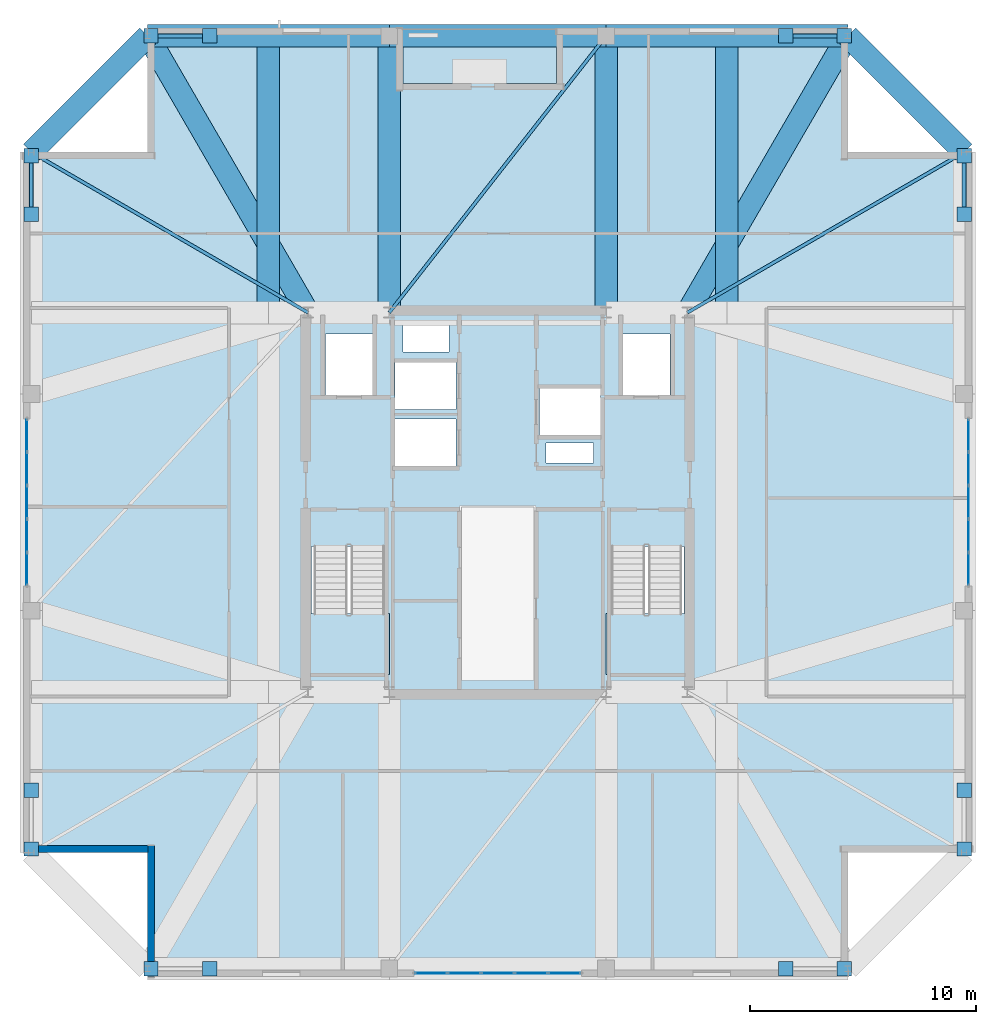
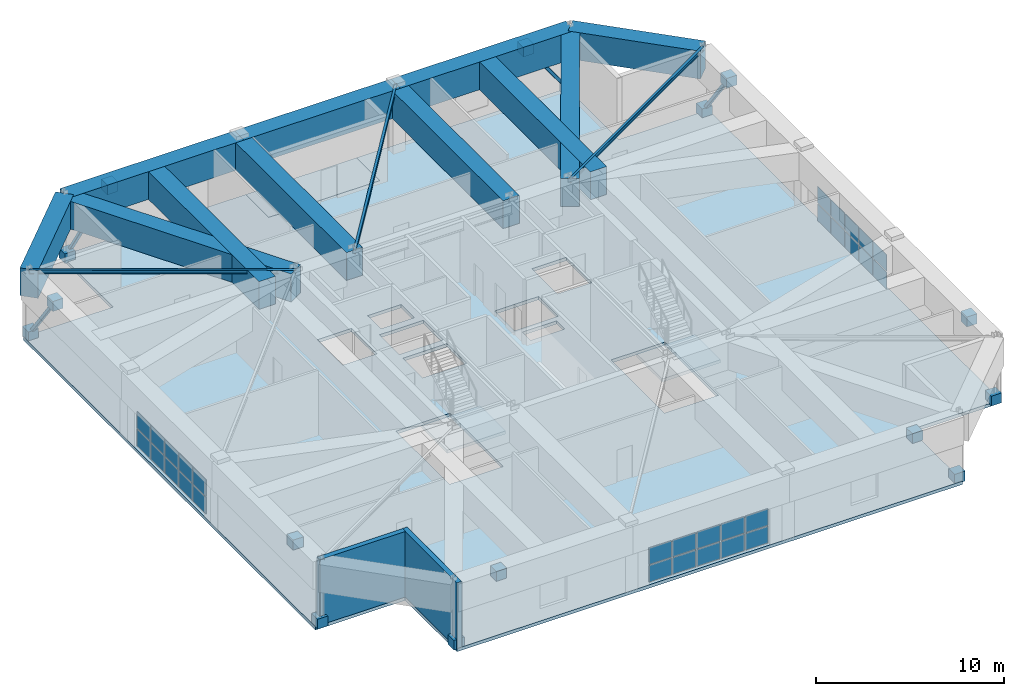
# One storey, part 11 of 17: 46 plates, 14 beams, 4 members, 4 slabs, 2 walls, 5 elements without a shape of their own.
"""IFC4 building model written with IfcOpenShell, lengths in metres."""

from ifc_helpers import new_model, si_unit, direction, frame, frame_2d, origin, origin_2d, place, context, subcontext, project, spatial, polyline, rectangle, hollow_rectangle, i_section, outline, extrude, material, layer, layer_set, material_profile, profile_set, type_object, element, aggregate, save


model = new_model("IFC4")

# Units and contexts
model_context = context("Model", 3, precision=1e-05, world=origin(), true_north=direction((0.0, 1.0)))
body_context = subcontext(model_context, "Body", "Model", "MODEL_VIEW")
ifc_project = project(units=[si_unit("LENGTHUNIT", "METRE"), si_unit("AREAUNIT", "SQUARE_METRE"), si_unit("VOLUMEUNIT", "CUBIC_METRE"), si_unit("PLANEANGLEUNIT", "RADIAN"), si_unit("MASSUNIT", "GRAM", prefix="KILO")], contexts=[model_context])

# Site, building, storey
site_placement = place(None, origin())
site = spatial("IfcSite", under=ifc_project, at=site_placement, CompositionType="ELEMENT")
building_placement = place(site_placement, origin())
building = spatial("IfcBuilding", under=site, at=building_placement, Name="Cairnveth Concourse Tower", CompositionType="ELEMENT")
storey_placement = place(building_placement, frame((0.0, 0.0, 320.0)))
storey = spatial("IfcBuildingStorey", under=building, at=storey_placement, Name="L88", CompositionType="ELEMENT", Elevation=320.0)

# Beams
ifc_material_1 = material(Name="Concrete N65 (65 MPa)", Category="concrete")
ifc_material_profile_1 = material_profile(ifc_material_1, rectangle(XDim=1.0, YDim=1.800048828125, at=origin_2d()), Name="RC-TB-1000x1800")
ifc_profile_set_1 = profile_set([ifc_material_profile_1], Name="Concrete N65 (65 MPa)")
beam_type_1 = type_object("IfcBeamType", Name="CONCRETE TRANSFER GIRDER 1000X1800", PredefinedType="BEAM", material=ifc_profile_set_1)
beam_1_placement = place(storey_placement, frame((36.5, 59.64990234375, 3.35009765625), z_axis=(1.0, 0.0, 0.0), x_axis=(0.0, 1.0, 0.0)))
element("IfcBeam", 1, at=beam_1_placement, inside=storey, type_object=beam_type_1, Name="Beam SP-N1 L88", PredefinedType="BEAM", context=body_context, shape_type="SweptSolid", body=[
    extrude(rectangle(XDim=1.0, YDim=1.800048828125, at=origin_2d()), origin(), (0.0, 0.0, 1.0), 10.699951171875),
])
beam_2_placement = place(storey_placement, frame((47.199951171875, 59.64990234375, 3.35009765625), z_axis=(1.0, 0.0, 0.0), x_axis=(0.0, 1.0, 0.0)))
element("IfcBeam", 2, at=beam_2_placement, inside=storey, type_object=beam_type_1, Name="Beam SP-N2 L88", PredefinedType="BEAM", context=body_context, shape_type="SweptSolid", body=[
    extrude(rectangle(XDim=1.0, YDim=1.800048828125, at=origin_2d()), origin(), (0.0, 0.0, 1.0), 9.60009765625),
])
beam_3_placement = place(storey_placement, frame((56.800048828125, 59.64990234375, 3.35009765625), z_axis=(1.0, 0.0, 0.0), x_axis=(0.0, 1.0, 0.0)))
element("IfcBeam", 3, at=beam_3_placement, inside=storey, type_object=beam_type_1, Name="Beam SP-N3 L88", PredefinedType="BEAM", context=body_context, shape_type="SweptSolid", body=[
    extrude(rectangle(XDim=1.0, YDim=1.800048828125, at=origin_2d()), origin(), (0.0, 0.0, 1.0), 10.699951171875),
])
for number, where, z_axis, x_axis, name in (
    (4, (67.5, 59.64990234375, 3.35009765625), (0.707106781187, -0.707106781187, 0.0), (0.707106781187, 0.707106781187, 0.0), "Beam SP-NE L88"),
    (5, (31.35009765625, 54.5, 3.35009765625), (0.707106781187, 0.707106781187, 0.0), (-0.707106781187, 0.707106781187, 0.0), "Beam SP-NW L88"),
):
    element("IfcBeam", number, at=place(storey_placement, frame(where, z_axis=z_axis, x_axis=x_axis)), inside=storey, type_object=beam_type_1, Name=name, PredefinedType="BEAM", context=body_context, shape_type="SweptSolid", body=[
        extrude(rectangle(XDim=1.0, YDim=1.800048828125, at=origin_2d()), origin(), (0.0, 0.0, 1.0), 7.282958984375),
    ])
for number, where, z_axis, x_axis, name in (
    (6, (47.199951171875, 47.39990234375, 3.35009765625), (0.0, 1.0, 0.0), (-1.0, 0.0, 0.0), "Beam RG-N1 L88"),
    (7, (56.800048828125, 47.39990234375, 3.35009765625), (0.0, 1.0, 0.0), (-1.0, 0.0, 0.0), "Beam RG-N2 L88"),
):
    element("IfcBeam", number, at=place(storey_placement, frame(where, z_axis=z_axis, x_axis=x_axis)), inside=storey, type_object=beam_type_1, Name=name, PredefinedType="BEAM", context=body_context, shape_type="SweptSolid", body=[
        extrude(rectangle(XDim=1.0, YDim=1.800048828125, at=origin_2d()), origin(), (0.0, 0.0, 1.0), 12.25),
    ])
for number, where, z_axis, x_axis, name in (
    (8, (67.5, 59.64990234375, 3.35009765625), (-0.501458984584, -0.86518141842, 0.0), (0.86518141842, -0.501458984584, 0.0), "Beam RG-CNE L88"),
    (9, (36.5, 59.64990234375, 3.35009765625), (0.501458984584, -0.86518141842, 0.0), (0.86518141842, 0.501458984584, 0.0), "Beam RG-CNW L88"),
):
    element("IfcBeam", number, at=place(storey_placement, frame(where, z_axis=z_axis, x_axis=x_axis)), inside=storey, type_object=beam_type_1, Name=name, PredefinedType="BEAM", context=body_context, shape_type="SweptSolid", body=[
        extrude(rectangle(XDim=1.0, YDim=1.800048828125, at=origin_2d()), origin(), (0.0, 0.0, 1.0), 14.158935546875),
    ])
for number, where, z_axis, x_axis, name in (
    (10, (41.85009765625, 47.39990234375, 3.35009765625), (0.0, 1.0, 0.0), (-1.0, 0.0, 0.0), "Beam CTG-W-NS3 L88"),
    (11, (62.14990234375, 47.39990234375, 3.35009765625), (0.0, 1.0, 0.0), (-1.0, 0.0, 0.0), "Beam CTG-E-NS3 L88"),
):
    element("IfcBeam", number, at=place(storey_placement, frame(where, z_axis=z_axis, x_axis=x_axis)), inside=storey, type_object=beam_type_1, Name=name, PredefinedType="BEAM", context=body_context, shape_type="SweptSolid", body=[
        extrude(rectangle(XDim=1.0, YDim=1.800048828125, at=origin_2d()), origin(), (0.0, 0.0, 1.0), 12.10009765625),
    ])
ifc_material_2 = material(Name="Steel Grade 350", Category="steel")
ifc_material_profile_2 = material_profile(ifc_material_2, i_section(OverallWidth=0.14599609375, OverallDepth=0.256103515625, WebThickness=0.00634765625, FlangeThickness=0.010986328125, FilletRadius=0.009033203125, at=origin_2d()), Name="250UB37.3")
ifc_profile_set_2 = profile_set([ifc_material_profile_2], Name="Steel Grade 350")
beam_type_2 = type_object("IfcBeamType", Name="ZONE 4 FLOOR JOIST 250UB37.3", PredefinedType="JOIST", material=ifc_profile_set_2)
for number, where, z_axis, x_axis, name in (
    (12, (72.64990234375, 54.5, 4.1220703125), (-0.86518141842, -0.501458984584, 0.0), (0.501458984584, -0.86518141842, 0.0), "Beam FJ-CNE2 L88"),
    (13, (31.35009765625, 54.5, 4.1220703125), (0.86518141842, -0.501458984584, 0.0), (0.501458984584, 0.86518141842, 0.0), "Beam FJ-CNW2 L88"),
):
    element("IfcBeam", number, at=place(storey_placement, frame(where, z_axis=z_axis, x_axis=x_axis)), inside=storey, type_object=beam_type_2, Name=name, PredefinedType="JOIST", context=body_context, shape_type="SweptSolid", body=[
        extrude(i_section(OverallWidth=0.14599609375, OverallDepth=0.256103515625, WebThickness=0.00634765625, FlangeThickness=0.010986328125, FilletRadius=0.009033203125, at=origin_2d()), origin(), (0.0, 0.0, 1.0), 14.158935546875),
    ])
beam_4_placement = place(storey_placement, frame((47.199951171875, 47.39990234375, 4.1220703125), z_axis=(0.616831762718, 0.787095023807, 0.0), x_axis=(-0.787095023807, 0.616831762718, 0.0)))
element("IfcBeam", 14, at=beam_4_placement, inside=storey, type_object=beam_type_2, Name="Beam FJ-N-M1 L88", PredefinedType="JOIST", context=body_context, shape_type="SweptSolid", body=[
    extrude(i_section(OverallWidth=0.14599609375, OverallDepth=0.256103515625, WebThickness=0.00634765625, FlangeThickness=0.010986328125, FilletRadius=0.009033203125, at=origin_2d()), origin(), (0.0, 0.0, 1.0), 15.5634765625),
])

# Members
ifc_material_3 = material(Name="Steel C350L0 (350 MPa)", Category="steel")
ifc_material_profile_3 = material_profile(ifc_material_3, hollow_rectangle(XDim=0.199951171875, YDim=0.199951171875, WallThickness=0.012451171875, InnerFilletRadius=0.012939453125, OuterFilletRadius=0.02490234375, at=origin_2d()), Name="200x200x12.5SHS")
ifc_profile_set_3 = profile_set([ifc_material_profile_3], Name="Steel C350L0 (350 MPa)")
member_type = type_object("IfcMemberType", Name="ZONE 4 PIER BRACE 200X200X12.5SHS", PredefinedType="BRACE", material=ifc_profile_set_3)
for number, where, z_axis, x_axis, name in (
    (15, (36.64990234375, 59.64990234375, 0.25), (0.590880096879, 0.0, 0.806759388611), (0.0, 1.0, 0.0), "Structural Brace PB-N1 L88"),
    (16, (67.35009765625, 59.64990234375, 0.25), (-0.590880096879, 0.0, 0.806759388611), (0.0, -1.0, 0.0), "Structural Brace PB-N2 L88"),
    (17, (31.35009765625, 54.35009765625, 0.25), (0.0, -0.590880096879, 0.806759388611), (1.0, 0.0, 0.0), "Structural Brace PB-W2 L88"),
    (18, (72.64990234375, 54.35009765625, 0.25), (0.0, -0.590880096879, 0.806759388611), (1.0, 0.0, 0.0), "Structural Brace PB-E2 L88"),
):
    element("IfcMember", number, at=place(storey_placement, frame(where, z_axis=z_axis, x_axis=x_axis)), inside=storey, type_object=member_type, Name=name, PredefinedType="BRACE", context=body_context, shape_type="SweptSolid", body=[
        extrude(hollow_rectangle(XDim=0.199951171875, YDim=0.199951171875, WallThickness=0.012451171875, InnerFilletRadius=0.012939453125, OuterFilletRadius=0.02490234375, at=origin_2d()), origin(), (0.0, 0.0, 1.0), 4.400390625),
    ])

# Curtain wall, plates
ifc_material_4 = material(Name="Architectural Bronze Anodised Aluminium 6063-T6", Category="aluminium")
ifc_layer_1 = layer(ifc_material_4, 0.300048828125)
ifc_layer_set_1 = layer_set([ifc_layer_1], Name="Architectural Bronze Anodised Aluminium 6063-T6")
curtain_wall_type = type_object("IfcCurtainWallType", Name="OBSERVATION HORIZON CURTAIN WALL", PredefinedType="USERDEFINED", material=ifc_layer_set_1)
curtain_wall_1_placement = place(storey_placement, origin())
curtain_wall_1 = element("IfcCurtainWall", 19, at=curtain_wall_1_placement, inside=storey, type_object=curtain_wall_type, Name="Curtain Wall CW-L88-F3", ObjectType="UNITISED FACADE", PredefinedType="USERDEFINED")
ifc_material_5 = material(Name="Double Glazed Low-E Clear Glass", Category="glass")
ifc_layer_2 = layer(ifc_material_5, 0.028076171875)
ifc_layer_set_2 = layer_set([ifc_layer_2], Name="Double Glazed Low-E Clear Glass")
plate_type_1 = type_object("IfcPlateType", Name="DOUBLE GLAZED LOW-E CURTAIN PANEL 28", PredefinedType="CURTAIN_PANEL", material=ifc_layer_set_2)
plate_1_placement = place(storey_placement, frame((72.85009765625, 41.955810546875, 0.06494140625), z_axis=(0.0, 0.0, 1.0), x_axis=(0.0, -1.0, 0.0)))
plate_1 = element("IfcPlate", 20, at=plate_1_placement, type_object=plate_type_1, Name="CWS5 panel 1.1", PredefinedType="CURTAIN_PANEL", context=body_context, shape_type="SweptSolid", body=[
    extrude(rectangle(XDim=1.388427734375, YDim=0.028076171875, at=origin_2d()), origin(), (0.0, 0.0, 1.0), 1.077392578125),
])
plate_2_placement = place(storey_placement, frame((72.85009765625, 41.955810546875, 1.20751953125), z_axis=(0.0, 0.0, 1.0), x_axis=(0.0, -1.0, 0.0)))
plate_2 = element("IfcPlate", 21, at=plate_2_placement, type_object=plate_type_1, Name="CWS5 panel 1.2", PredefinedType="CURTAIN_PANEL", context=body_context, shape_type="SweptSolid", body=[
    extrude(rectangle(XDim=1.388427734375, YDim=0.028076171875, at=origin_2d()), origin(), (0.0, 0.0, 1.0), 1.077392578125),
])
plate_3_placement = place(storey_placement, frame((72.85009765625, 40.486083984375, 0.06494140625), z_axis=(0.0, 0.0, 1.0), x_axis=(0.0, -1.0, 0.0)))
plate_3 = element("IfcPlate", 22, at=plate_3_placement, type_object=plate_type_1, Name="CWS5 panel 2.1", PredefinedType="CURTAIN_PANEL", context=body_context, shape_type="SweptSolid", body=[
    extrude(rectangle(XDim=1.4208984375, YDim=0.028076171875, at=origin_2d()), origin(), (0.0, 0.0, 1.0), 1.077392578125),
])
plate_4_placement = place(storey_placement, frame((72.85009765625, 40.486083984375, 1.20751953125), z_axis=(0.0, 0.0, 1.0), x_axis=(0.0, -1.0, 0.0)))
plate_4 = element("IfcPlate", 23, at=plate_4_placement, type_object=plate_type_1, Name="CWS5 panel 2.2", PredefinedType="CURTAIN_PANEL", context=body_context, shape_type="SweptSolid", body=[
    extrude(rectangle(XDim=1.4208984375, YDim=0.028076171875, at=origin_2d()), origin(), (0.0, 0.0, 1.0), 1.077392578125),
])
plate_5_placement = place(storey_placement, frame((72.85009765625, 39.0, 0.06494140625), z_axis=(0.0, 0.0, 1.0), x_axis=(0.0, -1.0, 0.0)))
plate_5 = element("IfcPlate", 24, at=plate_5_placement, type_object=plate_type_1, Name="CWS5 panel 3.1", PredefinedType="CURTAIN_PANEL", context=body_context, shape_type="SweptSolid", body=[
    extrude(rectangle(XDim=1.4208984375, YDim=0.028076171875, at=origin_2d()), origin(), (0.0, 0.0, 1.0), 1.077392578125),
])
plate_6_placement = place(storey_placement, frame((72.85009765625, 39.0, 1.20751953125), z_axis=(0.0, 0.0, 1.0), x_axis=(0.0, -1.0, 0.0)))
plate_6 = element("IfcPlate", 25, at=plate_6_placement, type_object=plate_type_1, Name="CWS5 panel 3.2", PredefinedType="CURTAIN_PANEL", context=body_context, shape_type="SweptSolid", body=[
    extrude(rectangle(XDim=1.4208984375, YDim=0.028076171875, at=origin_2d()), origin(), (0.0, 0.0, 1.0), 1.077392578125),
])
plate_7_placement = place(storey_placement, frame((72.85009765625, 37.513916015625, 0.06494140625), z_axis=(0.0, 0.0, 1.0), x_axis=(0.0, -1.0, 0.0)))
plate_7 = element("IfcPlate", 26, at=plate_7_placement, type_object=plate_type_1, Name="CWS5 panel 4.1", PredefinedType="CURTAIN_PANEL", context=body_context, shape_type="SweptSolid", body=[
    extrude(rectangle(XDim=1.4208984375, YDim=0.028076171875, at=origin_2d()), origin(), (0.0, 0.0, 1.0), 1.077392578125),
])
plate_8_placement = place(storey_placement, frame((72.85009765625, 37.513916015625, 1.20751953125), z_axis=(0.0, 0.0, 1.0), x_axis=(0.0, -1.0, 0.0)))
plate_8 = element("IfcPlate", 27, at=plate_8_placement, type_object=plate_type_1, Name="CWS5 panel 4.2", PredefinedType="CURTAIN_PANEL", context=body_context, shape_type="SweptSolid", body=[
    extrude(rectangle(XDim=1.4208984375, YDim=0.028076171875, at=origin_2d()), origin(), (0.0, 0.0, 1.0), 1.077392578125),
])
plate_9_placement = place(storey_placement, frame((72.85009765625, 36.044189453125, 0.06494140625), z_axis=(0.0, 0.0, 1.0), x_axis=(0.0, -1.0, 0.0)))
plate_9 = element("IfcPlate", 28, at=plate_9_placement, type_object=plate_type_1, Name="CWS5 panel 5.1", PredefinedType="CURTAIN_PANEL", context=body_context, shape_type="SweptSolid", body=[
    extrude(rectangle(XDim=1.388427734375, YDim=0.028076171875, at=origin_2d()), origin(), (0.0, 0.0, 1.0), 1.077392578125),
])
plate_10_placement = place(storey_placement, frame((72.85009765625, 36.044189453125, 1.20751953125), z_axis=(0.0, 0.0, 1.0), x_axis=(0.0, -1.0, 0.0)))
plate_10 = element("IfcPlate", 29, at=plate_10_placement, type_object=plate_type_1, Name="CWS5 panel 5.2", PredefinedType="CURTAIN_PANEL", context=body_context, shape_type="SweptSolid", body=[
    extrude(rectangle(XDim=1.388427734375, YDim=0.028076171875, at=origin_2d()), origin(), (0.0, 0.0, 1.0), 1.077392578125),
])
aggregate(curtain_wall_1, [plate_1, plate_2, plate_3, plate_4, plate_5, plate_6, plate_7, plate_8, plate_9, plate_10])

curtain_wall_2_placement = place(storey_placement, origin())
curtain_wall_2 = element("IfcCurtainWall", 30, at=curtain_wall_2_placement, inside=storey, type_object=curtain_wall_type, Name="Curtain Wall CW-L88-F6", ObjectType="UNITISED FACADE", PredefinedType="USERDEFINED")
plate_11_placement = place(storey_placement, frame((54.955810546875, 18.14990234375, 0.06494140625), z_axis=(0.0, 0.0, 1.0), x_axis=(-1.0, 0.0, 0.0)))
plate_11 = element("IfcPlate", 31, at=plate_11_placement, type_object=plate_type_1, Name="CWS5 panel 1.1", PredefinedType="CURTAIN_PANEL", context=body_context, shape_type="SweptSolid", body=[
    extrude(rectangle(XDim=1.388427734375, YDim=0.028076171875, at=origin_2d()), origin(), (0.0, 0.0, 1.0), 1.077392578125),
])
plate_12_placement = place(storey_placement, frame((54.955810546875, 18.14990234375, 1.20751953125), z_axis=(0.0, 0.0, 1.0), x_axis=(-1.0, 0.0, 0.0)))
plate_12 = element("IfcPlate", 32, at=plate_12_placement, type_object=plate_type_1, Name="CWS5 panel 1.2", PredefinedType="CURTAIN_PANEL", context=body_context, shape_type="SweptSolid", body=[
    extrude(rectangle(XDim=1.388427734375, YDim=0.028076171875, at=origin_2d()), origin(), (0.0, 0.0, 1.0), 1.077392578125),
])
plate_13_placement = place(storey_placement, frame((53.486083984375, 18.14990234375, 0.06494140625), z_axis=(0.0, 0.0, 1.0), x_axis=(-1.0, 0.0, 0.0)))
plate_13 = element("IfcPlate", 33, at=plate_13_placement, type_object=plate_type_1, Name="CWS5 panel 2.1", PredefinedType="CURTAIN_PANEL", context=body_context, shape_type="SweptSolid", body=[
    extrude(rectangle(XDim=1.4208984375, YDim=0.028076171875, at=origin_2d()), origin(), (0.0, 0.0, 1.0), 1.077392578125),
])
plate_14_placement = place(storey_placement, frame((53.486083984375, 18.14990234375, 1.20751953125), z_axis=(0.0, 0.0, 1.0), x_axis=(-1.0, 0.0, 0.0)))
plate_14 = element("IfcPlate", 34, at=plate_14_placement, type_object=plate_type_1, Name="CWS5 panel 2.2", PredefinedType="CURTAIN_PANEL", context=body_context, shape_type="SweptSolid", body=[
    extrude(rectangle(XDim=1.4208984375, YDim=0.028076171875, at=origin_2d()), origin(), (0.0, 0.0, 1.0), 1.077392578125),
])
plate_15_placement = place(storey_placement, frame((52.0, 18.14990234375, 0.06494140625), z_axis=(0.0, 0.0, 1.0), x_axis=(-1.0, 0.0, 0.0)))
plate_15 = element("IfcPlate", 35, at=plate_15_placement, type_object=plate_type_1, Name="CWS5 panel 3.1", PredefinedType="CURTAIN_PANEL", context=body_context, shape_type="SweptSolid", body=[
    extrude(rectangle(XDim=1.4208984375, YDim=0.028076171875, at=origin_2d()), origin(), (0.0, 0.0, 1.0), 1.077392578125),
])
plate_16_placement = place(storey_placement, frame((52.0, 18.14990234375, 1.20751953125), z_axis=(0.0, 0.0, 1.0), x_axis=(-1.0, 0.0, 0.0)))
plate_16 = element("IfcPlate", 36, at=plate_16_placement, type_object=plate_type_1, Name="CWS5 panel 3.2", PredefinedType="CURTAIN_PANEL", context=body_context, shape_type="SweptSolid", body=[
    extrude(rectangle(XDim=1.4208984375, YDim=0.028076171875, at=origin_2d()), origin(), (0.0, 0.0, 1.0), 1.077392578125),
])
plate_17_placement = place(storey_placement, frame((50.513916015625, 18.14990234375, 0.06494140625), z_axis=(0.0, 0.0, 1.0), x_axis=(-1.0, 0.0, 0.0)))
plate_17 = element("IfcPlate", 37, at=plate_17_placement, type_object=plate_type_1, Name="CWS5 panel 4.1", PredefinedType="CURTAIN_PANEL", context=body_context, shape_type="SweptSolid", body=[
    extrude(rectangle(XDim=1.4208984375, YDim=0.028076171875, at=origin_2d()), origin(), (0.0, 0.0, 1.0), 1.077392578125),
])
plate_18_placement = place(storey_placement, frame((50.513916015625, 18.14990234375, 1.20751953125), z_axis=(0.0, 0.0, 1.0), x_axis=(-1.0, 0.0, 0.0)))
plate_18 = element("IfcPlate", 38, at=plate_18_placement, type_object=plate_type_1, Name="CWS5 panel 4.2", PredefinedType="CURTAIN_PANEL", context=body_context, shape_type="SweptSolid", body=[
    extrude(rectangle(XDim=1.4208984375, YDim=0.028076171875, at=origin_2d()), origin(), (0.0, 0.0, 1.0), 1.077392578125),
])
plate_19_placement = place(storey_placement, frame((49.044189453125, 18.14990234375, 0.06494140625), z_axis=(0.0, 0.0, 1.0), x_axis=(-1.0, 0.0, 0.0)))
plate_19 = element("IfcPlate", 39, at=plate_19_placement, type_object=plate_type_1, Name="CWS5 panel 5.1", PredefinedType="CURTAIN_PANEL", context=body_context, shape_type="SweptSolid", body=[
    extrude(rectangle(XDim=1.388427734375, YDim=0.028076171875, at=origin_2d()), origin(), (0.0, 0.0, 1.0), 1.077392578125),
])
plate_20_placement = place(storey_placement, frame((49.044189453125, 18.14990234375, 1.20751953125), z_axis=(0.0, 0.0, 1.0), x_axis=(-1.0, 0.0, 0.0)))
plate_20 = element("IfcPlate", 40, at=plate_20_placement, type_object=plate_type_1, Name="CWS5 panel 5.2", PredefinedType="CURTAIN_PANEL", context=body_context, shape_type="SweptSolid", body=[
    extrude(rectangle(XDim=1.388427734375, YDim=0.028076171875, at=origin_2d()), origin(), (0.0, 0.0, 1.0), 1.077392578125),
])
aggregate(curtain_wall_2, [plate_11, plate_12, plate_13, plate_14, plate_15, plate_16, plate_17, plate_18, plate_19, plate_20])

curtain_wall_3_placement = place(storey_placement, origin())
curtain_wall_3 = element("IfcCurtainWall", 41, at=curtain_wall_3_placement, inside=storey, type_object=curtain_wall_type, Name="Curtain Wall CW-L88-F9", ObjectType="UNITISED FACADE", PredefinedType="USERDEFINED")
plate_21_placement = place(storey_placement, frame((31.14990234375, 36.044189453125, 0.06494140625), z_axis=(0.0, 0.0, 1.0), x_axis=(0.0, 1.0, 0.0)))
plate_21 = element("IfcPlate", 42, at=plate_21_placement, type_object=plate_type_1, Name="CWS5 panel 1.1", PredefinedType="CURTAIN_PANEL", context=body_context, shape_type="SweptSolid", body=[
    extrude(rectangle(XDim=1.388427734375, YDim=0.028076171875, at=origin_2d()), origin(), (0.0, 0.0, 1.0), 1.077392578125),
])
plate_22_placement = place(storey_placement, frame((31.14990234375, 36.044189453125, 1.20751953125), z_axis=(0.0, 0.0, 1.0), x_axis=(0.0, 1.0, 0.0)))
plate_22 = element("IfcPlate", 43, at=plate_22_placement, type_object=plate_type_1, Name="CWS5 panel 1.2", PredefinedType="CURTAIN_PANEL", context=body_context, shape_type="SweptSolid", body=[
    extrude(rectangle(XDim=1.388427734375, YDim=0.028076171875, at=origin_2d()), origin(), (0.0, 0.0, 1.0), 1.077392578125),
])
plate_23_placement = place(storey_placement, frame((31.14990234375, 37.513916015625, 0.06494140625), z_axis=(0.0, 0.0, 1.0), x_axis=(0.0, 1.0, 0.0)))
plate_23 = element("IfcPlate", 44, at=plate_23_placement, type_object=plate_type_1, Name="CWS5 panel 2.1", PredefinedType="CURTAIN_PANEL", context=body_context, shape_type="SweptSolid", body=[
    extrude(rectangle(XDim=1.4208984375, YDim=0.028076171875, at=origin_2d()), origin(), (0.0, 0.0, 1.0), 1.077392578125),
])
plate_24_placement = place(storey_placement, frame((31.14990234375, 37.513916015625, 1.20751953125), z_axis=(0.0, 0.0, 1.0), x_axis=(0.0, 1.0, 0.0)))
plate_24 = element("IfcPlate", 45, at=plate_24_placement, type_object=plate_type_1, Name="CWS5 panel 2.2", PredefinedType="CURTAIN_PANEL", context=body_context, shape_type="SweptSolid", body=[
    extrude(rectangle(XDim=1.4208984375, YDim=0.028076171875, at=origin_2d()), origin(), (0.0, 0.0, 1.0), 1.077392578125),
])
plate_25_placement = place(storey_placement, frame((31.14990234375, 39.0, 0.06494140625), z_axis=(0.0, 0.0, 1.0), x_axis=(0.0, 1.0, 0.0)))
plate_25 = element("IfcPlate", 46, at=plate_25_placement, type_object=plate_type_1, Name="CWS5 panel 3.1", PredefinedType="CURTAIN_PANEL", context=body_context, shape_type="SweptSolid", body=[
    extrude(rectangle(XDim=1.4208984375, YDim=0.028076171875, at=origin_2d()), origin(), (0.0, 0.0, 1.0), 1.077392578125),
])
plate_26_placement = place(storey_placement, frame((31.14990234375, 39.0, 1.20751953125), z_axis=(0.0, 0.0, 1.0), x_axis=(0.0, 1.0, 0.0)))
plate_26 = element("IfcPlate", 47, at=plate_26_placement, type_object=plate_type_1, Name="CWS5 panel 3.2", PredefinedType="CURTAIN_PANEL", context=body_context, shape_type="SweptSolid", body=[
    extrude(rectangle(XDim=1.4208984375, YDim=0.028076171875, at=origin_2d()), origin(), (0.0, 0.0, 1.0), 1.077392578125),
])
plate_27_placement = place(storey_placement, frame((31.14990234375, 40.486083984375, 0.06494140625), z_axis=(0.0, 0.0, 1.0), x_axis=(0.0, 1.0, 0.0)))
plate_27 = element("IfcPlate", 48, at=plate_27_placement, type_object=plate_type_1, Name="CWS5 panel 4.1", PredefinedType="CURTAIN_PANEL", context=body_context, shape_type="SweptSolid", body=[
    extrude(rectangle(XDim=1.4208984375, YDim=0.028076171875, at=origin_2d()), origin(), (0.0, 0.0, 1.0), 1.077392578125),
])
plate_28_placement = place(storey_placement, frame((31.14990234375, 40.486083984375, 1.20751953125), z_axis=(0.0, 0.0, 1.0), x_axis=(0.0, 1.0, 0.0)))
plate_28 = element("IfcPlate", 49, at=plate_28_placement, type_object=plate_type_1, Name="CWS5 panel 4.2", PredefinedType="CURTAIN_PANEL", context=body_context, shape_type="SweptSolid", body=[
    extrude(rectangle(XDim=1.4208984375, YDim=0.028076171875, at=origin_2d()), origin(), (0.0, 0.0, 1.0), 1.077392578125),
])
plate_29_placement = place(storey_placement, frame((31.14990234375, 41.955810546875, 0.06494140625), z_axis=(0.0, 0.0, 1.0), x_axis=(0.0, 1.0, 0.0)))
plate_29 = element("IfcPlate", 50, at=plate_29_placement, type_object=plate_type_1, Name="CWS5 panel 5.1", PredefinedType="CURTAIN_PANEL", context=body_context, shape_type="SweptSolid", body=[
    extrude(rectangle(XDim=1.388427734375, YDim=0.028076171875, at=origin_2d()), origin(), (0.0, 0.0, 1.0), 1.077392578125),
])
plate_30_placement = place(storey_placement, frame((31.14990234375, 41.955810546875, 1.20751953125), z_axis=(0.0, 0.0, 1.0), x_axis=(0.0, 1.0, 0.0)))
plate_30 = element("IfcPlate", 51, at=plate_30_placement, type_object=plate_type_1, Name="CWS5 panel 5.2", PredefinedType="CURTAIN_PANEL", context=body_context, shape_type="SweptSolid", body=[
    extrude(rectangle(XDim=1.388427734375, YDim=0.028076171875, at=origin_2d()), origin(), (0.0, 0.0, 1.0), 1.077392578125),
])
aggregate(curtain_wall_3, [plate_21, plate_22, plate_23, plate_24, plate_25, plate_26, plate_27, plate_28, plate_29, plate_30])

# Plates
ifc_layer_3 = layer(ifc_material_2, 0.031982421875)
ifc_layer_set_3 = layer_set([ifc_layer_3], Name="Steel Grade 350")
plate_type_2 = type_object("IfcPlateType", Name="PERIMETER BRACE GUSSET PLATE 32", PredefinedType="USERDEFINED", material=ifc_layer_set_3)
for number, where, z_axis, x_axis, name in (
    (52, (36.64990234375, 18.35009765625, -0.06982421875), (0.0, 0.0, 1.0), (1.0, 0.0, 0.0), "Structural Node Plate 1545 L88"),
    (53, (39.25, 18.35009765625, 3.47998046875), (0.0, 0.0, 1.0), (1.0, 0.0, 0.0), "Structural Node Plate 1546 L88"),
    (54, (67.35009765625, 18.35009765625, -0.06982421875), (0.0, 0.0, 1.0), (1.0, 0.0, 0.0), "Structural Node Plate 1547 L88"),
    (55, (64.75, 18.35009765625, 3.47998046875), (0.0, 0.0, 1.0), (1.0, 0.0, 0.0), "Structural Node Plate 1548 L88"),
    (56, (36.64990234375, 59.64990234375, -0.06982421875), (0.0, 0.0, 1.0), (1.0, 0.0, 0.0), "Structural Node Plate 1549 L88"),
    (57, (39.25, 59.64990234375, 3.47998046875), (0.0, 0.0, 1.0), (1.0, 0.0, 0.0), "Structural Node Plate 1550 L88"),
    (58, (67.35009765625, 59.64990234375, -0.06982421875), (0.0, 0.0, 1.0), (1.0, 0.0, 0.0), "Structural Node Plate 1551 L88"),
    (59, (64.75, 59.64990234375, 3.47998046875), (0.0, 0.0, 1.0), (1.0, 0.0, 0.0), "Structural Node Plate 1552 L88"),
    (60, (31.35009765625, 23.64990234375, -0.06982421875), (0.0, 0.0, 1.0), (1.0, 0.0, 0.0), "Structural Node Plate 1553 L88"),
    (61, (31.35009765625, 26.25, 3.47998046875), (0.0, 0.0, 1.0), (1.0, 0.0, 0.0), "Structural Node Plate 1554 L88"),
    (62, (31.35009765625, 54.35009765625, -0.06982421875), (0.0, 0.0, 1.0), (1.0, 0.0, 0.0), "Structural Node Plate 1555 L88"),
    (63, (31.35009765625, 51.75, 3.47998046875), (0.0, 0.0, 1.0), (1.0, 0.0, 0.0), "Structural Node Plate 1556 L88"),
    (64, (72.64990234375, 23.64990234375, -0.06982421875), (0.0, 0.0, 1.0), (1.0, 0.0, 0.0), "Structural Node Plate 1557 L88"),
    (65, (72.64990234375, 26.25, 3.47998046875), (0.0, 0.0, 1.0), (1.0, 0.0, 0.0), "Structural Node Plate 1558 L88"),
    (66, (72.64990234375, 54.35009765625, -0.06982421875), (0.0, 0.0, 1.0), (1.0, 0.0, 0.0), "Structural Node Plate 1559 L88"),
    (67, (72.64990234375, 51.75, 3.47998046875), (0.0, 0.0, 1.0), (1.0, 0.0, 0.0), "Structural Node Plate 1560 L88"),
):
    element("IfcPlate", number, at=place(storey_placement, frame(where, z_axis=z_axis, x_axis=x_axis)), inside=storey, type_object=plate_type_2, Name=name, ObjectType="GUSSET PLATE", PredefinedType="USERDEFINED", context=body_context, shape_type="SweptSolid", body=[
        extrude(rectangle(XDim=0.639892578125, YDim=0.639892578125, at=origin_2d()), origin(), (0.0, 0.0, 1.0), 0.639892578125),
    ])

# Slab
ifc_material_6 = material(Name="Concrete N50 (50 MPa)", Category="concrete")
ifc_layer_4 = layer(ifc_material_6, 0.18994140625)
ifc_layer_set_4 = layer_set([ifc_layer_4], Name="Concrete N50 (50 MPa)")
slab_type_1 = type_object("IfcSlabType", Name="SPIRAL OUTDOOR TERRACE SLAB 190", PredefinedType="FLOOR", material=ifc_layer_set_4)
slab_1_placement = place(storey_placement, frame((0.0, 0.0, -0.18994140625)))
element("IfcSlab", 68, at=slab_1_placement, inside=storey, type_object=slab_type_1, Name="Spiral Terrace Slab L88", PredefinedType="FLOOR", context=body_context, shape_type="SweptSolid", body=[
    extrude(outline(polyline([(47.800048828125, 57.550048828125), (54.60009765625, 57.550048828125), (54.60009765625, 60.0), (47.800048828125, 60.0), (47.800048828125, 57.550048828125)])), origin(), (0.0, 0.0, 1.0), 0.18994140625),
])

# Stair, slab
ifc_material_7 = material(Name="Precast concrete N50 (50 MPa)", Category="concrete")
stair_type = type_object("IfcStairType", Name="CORE DOG-LEG FIRE STAIR 1500", PredefinedType="HALF_TURN_STAIR", material=ifc_material_7)
stair_1_placement = place(storey_placement, origin())
stair_1 = element("IfcStair", 69, at=stair_1_placement, inside=storey, type_object=stair_type, Name="L88 Fire-Isolated Stair ST-1", PredefinedType="HALF_TURN_STAIR")
ifc_layer_5 = layer(ifc_material_6, 0.199951171875)
ifc_layer_set_5 = layer_set([ifc_layer_5], Name="Concrete N50 (50 MPa)")
slab_type_2 = type_object("IfcSlabType", Name="STAIR HALF LANDING SLAB 200", PredefinedType="LANDING", material=ifc_layer_set_5)
slab_2_placement = place(storey_placement, frame((0.0, 0.0, 2.050048828125)))
slab_2 = element("IfcSlab", 70, at=slab_2_placement, type_object=slab_type_2, Name="ST-1 landing 1", PredefinedType="LANDING", context=body_context, shape_type="SweptSolid", body=[
    extrude(outline(polyline([(43.6201171875, 34.080078125), (43.6201171875, 31.3701171875), (47.199951171875, 31.3701171875), (47.199951171875, 34.080078125), (43.6201171875, 34.080078125)])), origin(), (0.0, 0.0, 1.0), 0.199951171875),
])
aggregate(stair_1, [slab_2])

stair_2_placement = place(storey_placement, origin())
stair_2 = element("IfcStair", 71, at=stair_2_placement, inside=storey, type_object=stair_type, Name="L88 Fire-Isolated Stair ST-2", PredefinedType="HALF_TURN_STAIR")
slab_3_placement = place(storey_placement, frame((0.0, 0.0, 2.050048828125)))
slab_3 = element("IfcSlab", 72, at=slab_3_placement, type_object=slab_type_2, Name="ST-2 landing 1", PredefinedType="LANDING", context=body_context, shape_type="SweptSolid", body=[
    extrude(outline(polyline([(56.800048828125, 34.080078125), (56.800048828125, 31.3701171875), (60.3798828125, 31.3701171875), (60.3798828125, 34.080078125), (56.800048828125, 34.080078125)])), origin(), (0.0, 0.0, 1.0), 0.199951171875),
])
aggregate(stair_2, [slab_3])

# Slab
ifc_layer_6 = layer(ifc_material_6, 0.2099609375)
ifc_layer_set_6 = layer_set([ifc_layer_6], Name="Concrete N50 (50 MPa)")
slab_type_3 = type_object("IfcSlabType", Name="UPPER TOWER COMPOSITE SLAB 210", PredefinedType="FLOOR", material=ifc_layer_set_6)
slab_4_placement = place(storey_placement, frame((0.0, 0.0, -0.2099609375)))
element("IfcSlab", 73, at=slab_4_placement, inside=storey, type_object=slab_type_3, Name="Tower Floor Slab L88", PredefinedType="FLOOR", context=body_context, shape_type="SweptSolid", body=[
    extrude(outline(polyline([(54.60009765625, 60.0), (54.60009765625, 57.550048828125), (47.800048828125, 57.550048828125), (47.800048828125, 60.0), (36.5, 60.0), (36.5, 54.5), (31.0, 54.5), (31.0, 23.5), (36.5, 23.5), (36.5, 18.0), (67.5, 18.0), (67.5, 23.5), (73.0, 23.5), (73.0, 54.5), (67.5, 54.5), (67.5, 60.0), (54.60009765625, 60.0)]), holes=[polyline([(43.760009765625, 31.360107421875), (47.06005859375, 31.360107421875), (47.06005859375, 37.0400390625), (43.760009765625, 37.0400390625), (43.760009765625, 31.360107421875)]), polyline([(56.93994140625, 31.360107421875), (60.239990234375, 31.360107421875), (60.239990234375, 37.0400390625), (56.93994140625, 37.0400390625), (56.93994140625, 31.360107421875)]), polyline([(44.3701171875, 43.75), (46.469970703125, 43.75), (46.469970703125, 46.449951171875), (44.3701171875, 46.449951171875), (44.3701171875, 43.75)]), polyline([(57.530029296875, 43.75), (59.6298828125, 43.75), (59.6298828125, 46.449951171875), (57.530029296875, 46.449951171875), (57.530029296875, 43.75)]), polyline([(47.449951171875, 40.60009765625), (50.14990234375, 40.60009765625), (50.14990234375, 42.699951171875), (47.449951171875, 42.699951171875), (47.449951171875, 40.60009765625)]), polyline([(47.449951171875, 43.10009765625), (50.14990234375, 43.10009765625), (50.14990234375, 45.199951171875), (47.449951171875, 45.199951171875), (47.449951171875, 43.10009765625)]), polyline([(53.85009765625, 41.949951171875), (56.550048828125, 41.949951171875), (56.550048828125, 44.050048828125), (53.85009765625, 44.050048828125), (53.85009765625, 41.949951171875)]), polyline([(47.800048828125, 45.64990234375), (49.85009765625, 45.64990234375), (49.85009765625, 47.050048828125), (47.800048828125, 47.050048828125), (47.800048828125, 45.64990234375)]), polyline([(54.14990234375, 40.75), (56.25, 40.75), (56.25, 41.6201171875), (54.14990234375, 41.6201171875), (54.14990234375, 40.75)])]), origin(), (0.0, 0.0, 1.0), 0.2099609375),
])

# Walls
ifc_material_8 = material(Name="Hawthorn Red-Ochre Fired Clay Brick Masonry", Category="masonry")
ifc_layer_7 = layer(ifc_material_8, 0.300048828125)
ifc_layer_set_7 = layer_set([ifc_layer_7], Name="Hawthorn Red-Ochre Fired Clay Brick Masonry")
wall_type = type_object("IfcWallType", Name="ZONE 4 BRICK PIER SPANDREL WALL 300", PredefinedType="SOLIDWALL", material=ifc_layer_set_7)
wall_1_placement = place(storey_placement, frame((36.64990234375, 18.0, 0.0), z_axis=(0.0, 0.0, 1.0), x_axis=(0.0, 1.0, 0.0)))
element("IfcWall", 74, at=wall_1_placement, inside=storey, type_object=wall_type, Name="Exterior Wall EW-L88-S07", PredefinedType="SOLIDWALL", context=body_context, shape_type="SweptSolid", body=[
    extrude(rectangle(XDim=5.800048828125, YDim=0.300048828125, at=frame_2d((2.89990234375, 0.0))), origin(), (0.0, 0.0, 1.0), 4.25),
])
wall_2_placement = place(storey_placement, frame((36.52197265625, 23.64990234375, 0.0), z_axis=(0.0, 0.0, 1.0), x_axis=(-1.0, 0.0, 0.0)))
element("IfcWall", 75, at=wall_2_placement, inside=storey, type_object=wall_type, Name="Exterior Wall EW-L88-S08", PredefinedType="SOLIDWALL", context=body_context, shape_type="SweptSolid", body=[
    extrude(rectangle(XDim=5.243896484375, YDim=0.300048828125, at=frame_2d((2.6220703125, 0.0))), origin(), (0.0, 0.0, 1.0), 4.25),
])

save(model, "model.ifc")
